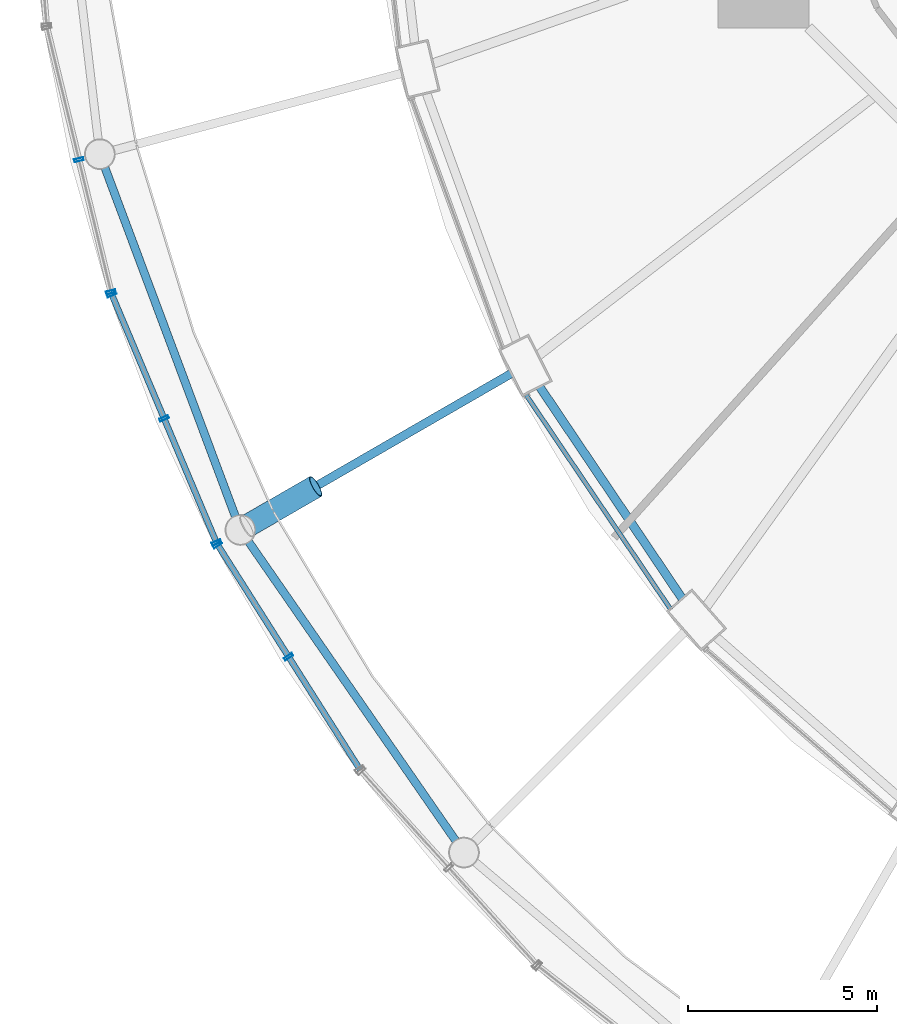
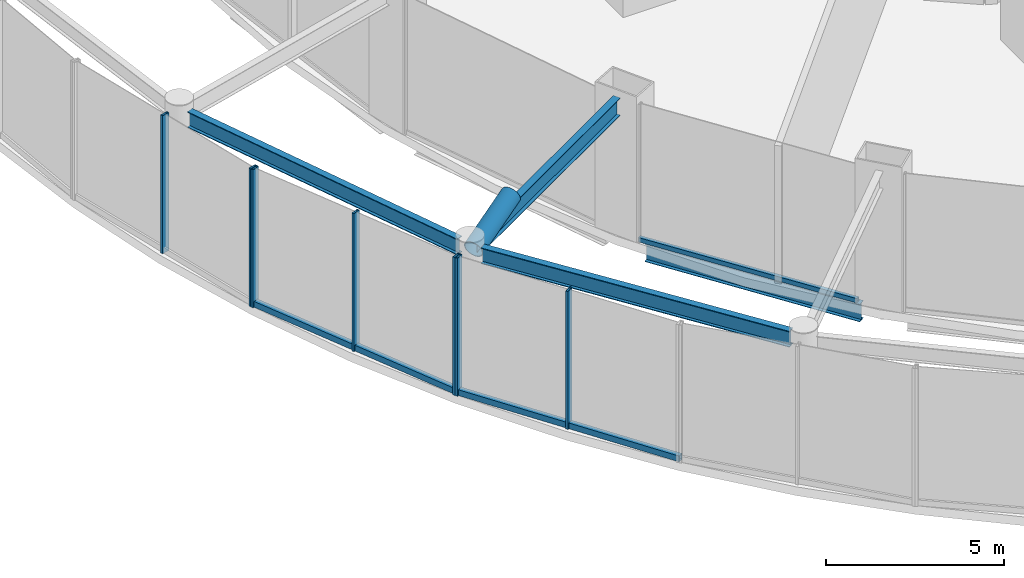
# One storey, part 5 of 52: 11 members, 4 beams, 4 elements without a shape of their own.
"""IFC4 building model written with IfcOpenShell, lengths in metres."""

from ifc_helpers import new_model, si_unit, direction, frame, origin, origin_2d, place, context, subcontext, project, spatial, hollow_rectangle, hollow_circle, i_section, extrude, material, layer, layer_set, material_profile, profile_set, type_object, element, aggregate, save


model = new_model("IFC4")

# Units and contexts
model_context = context("Model", 3, precision=1e-05, world=origin(), true_north=direction((0.0, 1.0)))
body_context = subcontext(model_context, "Body", "Model", "MODEL_VIEW")
ifc_project = project(units=[si_unit("LENGTHUNIT", "METRE"), si_unit("AREAUNIT", "SQUARE_METRE"), si_unit("VOLUMEUNIT", "CUBIC_METRE"), si_unit("PLANEANGLEUNIT", "RADIAN"), si_unit("MASSUNIT", "GRAM", prefix="KILO")], contexts=[model_context])

# Site, building, storey
site_placement = place(None, origin())
site = spatial("IfcSite", under=ifc_project, at=site_placement, CompositionType="ELEMENT")
building_placement = place(site_placement, origin())
building = spatial("IfcBuilding", under=site, at=building_placement, Name="Nagisa Residences", CompositionType="ELEMENT")
storey_placement = place(building_placement, frame((0.0, 0.0, 22.0)))
storey = spatial("IfcBuildingStorey", under=building, at=storey_placement, Name="L04", CompositionType="ELEMENT", Elevation=22.0)

# Beams
ifc_material_1 = material(Name="Steel ASTM A572 Gr 50", Category="steel")
ifc_material_profile_1 = material_profile(ifc_material_1, i_section(OverallWidth=0.214111328125, OverallDepth=0.549072265625, WebThickness=0.0146484375, FlangeThickness=0.023681640625, at=origin_2d()), Name="W530x138")
ifc_profile_set_1 = profile_set([ifc_material_profile_1], Name="Steel ASTM A572 Gr 50")
beam_type_1 = type_object("IfcBeamType", Name="Atrium ring beam W530x138", PredefinedType="BEAM", material=ifc_profile_set_1)
beam_1_placement = place(storey_placement, frame((-32.197021484375, -11.025390625, 4.4755859375), z_axis=(0.350304540877, -0.936635857012, 0.0), x_axis=(0.936635857012, 0.350304540877, 0.0)))
element("IfcBeam", 1, at=beam_1_placement, inside=storey, type_object=beam_type_1, Name="beam:L04:rab14", PredefinedType="BEAM", context=body_context, shape_type="SweptSolid", body=[
    extrude(i_section(OverallWidth=0.214111328125, OverallDepth=0.549072265625, WebThickness=0.0146484375, FlangeThickness=0.023681640625, at=origin_2d()), origin(), (0.0, 0.0, 1.0), 9.8359375),
])
beam_2_placement = place(storey_placement, frame((-28.39599609375, -20.917724609375, 4.4755859375), z_axis=(0.569488756983, -0.821999121453, 0.0), x_axis=(0.821999121453, 0.569488756983, 0.0)))
element("IfcBeam", 2, at=beam_2_placement, inside=storey, type_object=beam_type_1, Name="beam:L04:rab15", PredefinedType="BEAM", context=body_context, shape_type="SweptSolid", body=[
    extrude(i_section(OverallWidth=0.214111328125, OverallDepth=0.549072265625, WebThickness=0.0146484375, FlangeThickness=0.023681640625, at=origin_2d()), origin(), (0.0, 0.0, 1.0), 9.607666015625),
])
ifc_material_2 = material(Name="Steel ASTM A572 Gr 50", Category="steel")
ifc_material_profile_2 = material_profile(ifc_material_2, i_section(OverallWidth=0.22802734375, OverallDepth=0.60302734375, WebThickness=0.010498046875, FlangeThickness=0.014892578125, at=origin_2d()), Name="W610x101")
ifc_profile_set_2 = profile_set([ifc_material_profile_2], Name="Steel ASTM A572 Gr 50")
beam_type_2 = type_object("IfcBeamType", Name="Atrium roof beam W610x101", PredefinedType="BEAM", material=ifc_profile_set_2)
beam_3_placement = place(storey_placement, frame((-21.45458984375, -16.46533203125, 4.448486328125), z_axis=(-0.866031379214, -0.49998965011, 0.0), x_axis=(0.49998965011, -0.866031379214, 0.0)))
element("IfcBeam", 3, at=beam_3_placement, inside=storey, type_object=beam_type_2, Name="beam:L04:rer15", PredefinedType="BEAM", context=body_context, shape_type="SweptSolid", body=[
    extrude(i_section(OverallWidth=0.22802734375, OverallDepth=0.60302734375, WebThickness=0.010498046875, FlangeThickness=0.014892578125, at=origin_2d()), origin(), (0.0, 0.0, 1.0), 7.883056640625),
])

# Curtain wall, members
ifc_material_3 = material(Name="Stainless steel curtain wall system", Category="steel")
ifc_layer_1 = layer(ifc_material_3, 0.159912109375)
ifc_layer_set_1 = layer_set([ifc_layer_1], Name="CW3 CURTAIN WALL")
curtain_wall_type_1 = type_object("IfcCurtainWallType", Name="CW3 CURTAIN WALL", PredefinedType="NOTDEFINED", material=ifc_layer_set_1)
curtain_wall_1_placement = place(storey_placement, origin())
curtain_wall_1 = element("IfcCurtainWall", 4, at=curtain_wall_1_placement, inside=storey, type_object=curtain_wall_type_1, Name="cw:CW3:L04:19", PredefinedType="NOTDEFINED")
ifc_material_4 = material(Name="Stainless steel", Category="steel")
ifc_material_profile_3 = material_profile(ifc_material_4, hollow_rectangle(XDim=0.25, YDim=0.080078125, WallThickness=0.008056640625, at=origin_2d()), Name="CW3 MULLION 250x80")
ifc_profile_set_3 = profile_set([ifc_material_profile_3], Name="Stainless steel")
member_type_1 = type_object("IfcMemberType", Name="CW3 MULLION 250x80", PredefinedType="MULLION", material=ifc_profile_set_3)
member_1_placement = place(storey_placement, frame((-32.8876953125, -10.810302734375, 0.0), z_axis=(0.0, 0.0, 1.0), x_axis=(0.971848775146, 0.235605514043, 0.0)))
member_1 = element("IfcMember", 5, at=member_1_placement, type_object=member_type_1, Name="CW3 mullion", PredefinedType="MULLION", context=body_context, shape_type="SweptSolid", body=[
    extrude(hollow_rectangle(XDim=0.25, YDim=0.080078125, WallThickness=0.008056640625, at=origin_2d()), origin(), (0.0, 0.0, 1.0), 4.739990234375),
])
member_2_placement = place(storey_placement, frame((-32.0400390625, -14.30712890625, 0.0), z_axis=(0.0, 0.0, 1.0), x_axis=(0.971848775146, 0.235605514043, 0.0)))
member_2 = element("IfcMember", 6, at=member_2_placement, type_object=member_type_1, Name="CW3 mullion", PredefinedType="MULLION", context=body_context, shape_type="SweptSolid", body=[
    extrude(hollow_rectangle(XDim=0.25, YDim=0.080078125, WallThickness=0.008056640625, at=origin_2d()), origin(), (0.0, 0.0, 1.0), 4.739990234375),
])
aggregate(curtain_wall_1, [member_1, member_2])

curtain_wall_2_placement = place(storey_placement, origin())
curtain_wall_2 = element("IfcCurtainWall", 7, at=curtain_wall_2_placement, inside=storey, type_object=curtain_wall_type_1, Name="cw:CW3:L04:20", PredefinedType="NOTDEFINED")
member_3_placement = place(storey_placement, frame((-32.01904296875, -14.37060546875, 0.0), z_axis=(0.0, 0.0, 1.0), x_axis=(0.921356767819, 0.388718029417, 0.0)))
member_3 = element("IfcMember", 8, at=member_3_placement, type_object=member_type_1, Name="CW3 mullion", PredefinedType="MULLION", context=body_context, shape_type="SweptSolid", body=[
    extrude(hollow_rectangle(XDim=0.25, YDim=0.080078125, WallThickness=0.008056640625, at=origin_2d()), origin(), (0.0, 0.0, 1.0), 4.739990234375),
])
member_4_placement = place(storey_placement, frame((-30.635009765625, -17.6513671875, 0.0), z_axis=(0.0, 0.0, 1.0), x_axis=(0.921356767819, 0.388718029417, 0.0)))
member_4 = element("IfcMember", 9, at=member_4_placement, type_object=member_type_1, Name="CW3 mullion", PredefinedType="MULLION", context=body_context, shape_type="SweptSolid", body=[
    extrude(hollow_rectangle(XDim=0.25, YDim=0.080078125, WallThickness=0.008056640625, at=origin_2d()), origin(), (0.0, 0.0, 1.0), 4.739990234375),
])
member_5_placement = place(storey_placement, frame((-29.250732421875, -20.93212890625, 0.0), z_axis=(0.0, 0.0, 1.0), x_axis=(0.921356767819, 0.388718029417, 0.0)))
member_5 = element("IfcMember", 10, at=member_5_placement, type_object=member_type_1, Name="CW3 mullion", PredefinedType="MULLION", context=body_context, shape_type="SweptSolid", body=[
    extrude(hollow_rectangle(XDim=0.25, YDim=0.080078125, WallThickness=0.008056640625, at=origin_2d()), origin(), (0.0, 0.0, 1.0), 4.739990234375),
])

curtain_wall_3_placement = place(storey_placement, origin())
curtain_wall_3 = element("IfcCurtainWall", 11, at=curtain_wall_3_placement, inside=storey, type_object=curtain_wall_type_1, Name="cw:CW3:L04:21", PredefinedType="NOTDEFINED")
member_6_placement = place(storey_placement, frame((-29.219970703125, -20.990966796875, 0.0), z_axis=(0.0, 0.0, 1.0), x_axis=(0.844747368001, 0.535165286856, 0.0)))
member_6 = element("IfcMember", 12, at=member_6_placement, type_object=member_type_1, Name="CW3 mullion", PredefinedType="MULLION", context=body_context, shape_type="SweptSolid", body=[
    extrude(hollow_rectangle(XDim=0.25, YDim=0.080078125, WallThickness=0.008056640625, at=origin_2d()), origin(), (0.0, 0.0, 1.0), 4.739990234375),
])
member_7_placement = place(storey_placement, frame((-27.341796875, -23.955810546875, 0.0), z_axis=(0.0, 0.0, 1.0), x_axis=(0.844747368001, 0.535165286856, 0.0)))
member_7 = element("IfcMember", 13, at=member_7_placement, type_object=member_type_1, Name="CW3 mullion", PredefinedType="MULLION", context=body_context, shape_type="SweptSolid", body=[
    extrude(hollow_rectangle(XDim=0.25, YDim=0.080078125, WallThickness=0.008056640625, at=origin_2d()), origin(), (0.0, 0.0, 1.0), 4.739990234375),
])

# Member
ifc_material_5 = material(Name="Stainless steel", Category="steel")
ifc_material_profile_4 = material_profile(ifc_material_5, hollow_rectangle(XDim=0.159912109375, YDim=0.199951171875, WallThickness=0.008056640625, at=origin_2d()), Name="CW3 TRANSOM 160x200")
ifc_profile_set_4 = profile_set([ifc_material_profile_4], Name="Stainless steel")
member_type_2 = type_object("IfcMemberType", Name="CW3 TRANSOM 160x200", PredefinedType="USERDEFINED", material=ifc_profile_set_4)
member_8_placement = place(storey_placement, frame((-32.03466796875, -14.333740234375, 0.10009765625), z_axis=(0.388708599467, -0.921360746234, 0.0), x_axis=(0.921360746234, 0.388708599467, 0.0)))
member_8 = element("IfcMember", 14, at=member_8_placement, type_object=member_type_2, Name="CW3 transom", ObjectType="TRANSOM", PredefinedType="USERDEFINED", context=body_context, shape_type="SweptSolid", body=[
    extrude(hollow_rectangle(XDim=0.159912109375, YDim=0.199951171875, WallThickness=0.008056640625, at=origin_2d()), origin(), (0.0, 0.0, 1.0), 7.20166015625),
])

aggregate(curtain_wall_2, [member_3, member_4, member_5, member_8])

member_9_placement = place(storey_placement, frame((-29.241455078125, -20.957275390625, 0.10009765625), z_axis=(0.535169889444, -0.844744452147, 0.0), x_axis=(0.844744452147, 0.535169889444, 0.0)))
member_9 = element("IfcMember", 15, at=member_9_placement, type_object=member_type_2, Name="CW3 transom", ObjectType="TRANSOM", PredefinedType="USERDEFINED", context=body_context, shape_type="SweptSolid", body=[
    extrude(hollow_rectangle(XDim=0.159912109375, YDim=0.199951171875, WallThickness=0.008056640625, at=origin_2d()), origin(), (0.0, 0.0, 1.0), 7.099365234375),
])

aggregate(curtain_wall_3, [member_6, member_7, member_9])

# Curtain wall, member
ifc_material_6 = material(Name="Stainless steel curtain wall system", Category="steel")
ifc_layer_2 = layer(ifc_material_6, 0.159912109375)
ifc_layer_set_2 = layer_set([ifc_layer_2], Name="CW6 CURTAIN WALL")
curtain_wall_type_2 = type_object("IfcCurtainWallType", Name="CW6 CURTAIN WALL", PredefinedType="NOTDEFINED", material=ifc_layer_set_2)
curtain_wall_4_placement = place(storey_placement, origin())
curtain_wall_4 = element("IfcCurtainWall", 16, at=curtain_wall_4_placement, inside=storey, type_object=curtain_wall_type_2, Name="cw:CW6:L04:28", PredefinedType="NOTDEFINED")
ifc_material_7 = material(Name="Stainless steel", Category="steel")
ifc_material_profile_5 = material_profile(ifc_material_7, hollow_rectangle(XDim=0.1201171875, YDim=0.14990234375, WallThickness=0.008056640625, at=origin_2d()), Name="CW6 TRANSOM 120x150")
ifc_profile_set_5 = profile_set([ifc_material_profile_5], Name="Stainless steel")
member_type_3 = type_object("IfcMemberType", Name="CW6 TRANSOM 120x150", PredefinedType="USERDEFINED", material=ifc_profile_set_5)
member_10_placement = place(storey_placement, frame((-21.05712890625, -17.03564453125, 0.074951171875), z_axis=(0.559080645991, -0.829113280124, 0.0), x_axis=(0.829113280124, 0.559080645991, 0.0)))
member_10 = element("IfcMember", 17, at=member_10_placement, type_object=member_type_3, Name="CW6 transom", ObjectType="TRANSOM", PredefinedType="USERDEFINED", context=body_context, shape_type="SweptSolid", body=[
    extrude(hollow_rectangle(XDim=0.1201171875, YDim=0.14990234375, WallThickness=0.008056640625, at=origin_2d()), origin(), (0.0, 0.0, 1.0), 6.84326171875),
])
aggregate(curtain_wall_4, [member_10])

# Member
ifc_material_8 = material(Name="Steel ASTM A572 Gr 65", Category="steel")
ifc_material_profile_6 = material_profile(ifc_material_8, hollow_circle(Radius=0.304931640625, WallThickness=0.02490234375, at=origin_2d()), Name="CHS 610x25")
ifc_profile_set_6 = profile_set([ifc_material_profile_6], Name="Steel ASTM A572 Gr 65")
member_type_4 = type_object("IfcMemberType", Name="Cage strut CHS 610x25", PredefinedType="STRUT", material=ifc_profile_set_6)
member_11_placement = place(storey_placement, frame((-26.624267578125, -19.449951171875, 5.0), z_axis=(-0.832677989233, -0.480782391152, -0.27476473319), x_axis=(0.500027713859, -0.866009402589, 0.0)))
element("IfcMember", 18, at=member_11_placement, inside=storey, type_object=member_type_4, Name="mem:L04:cg1tie08", PredefinedType="STRUT", context=body_context, shape_type="SweptSolid", body=[
    extrude(hollow_circle(Radius=0.304931640625, WallThickness=0.02490234375, at=origin_2d()), origin(), (0.0, 0.0, 1.0), 2.18408203125),
])

# Beam
ifc_material_9 = material(Name="Steel ASTM A572 Gr 50", Category="steel")
ifc_material_profile_7 = material_profile(ifc_material_9, i_section(OverallWidth=0.22802734375, OverallDepth=0.60302734375, WebThickness=0.010498046875, FlangeThickness=0.014892578125, at=origin_2d()), Name="W610x101")
ifc_profile_set_7 = profile_set([ifc_material_profile_7], Name="Steel ASTM A572 Gr 50")
beam_type_3 = type_object("IfcBeamType", Name="Perimeter ring beam W610x101", PredefinedType="BEAM", material=ifc_profile_set_7)
beam_4_placement = place(storey_placement, frame((-20.69921875, -16.818603515625, -0.6015625), z_axis=(0.558296806041, -0.829641293792, 0.0), x_axis=(0.829641293792, 0.558296806041, 0.0)))
element("IfcBeam", 19, at=beam_4_placement, inside=storey, type_object=beam_type_3, Name="beam:L04:pb15", PredefinedType="BEAM", context=body_context, shape_type="SweptSolid", body=[
    extrude(i_section(OverallWidth=0.22802734375, OverallDepth=0.60302734375, WebThickness=0.010498046875, FlangeThickness=0.014892578125, at=origin_2d()), origin(), (0.0, 0.0, 1.0), 6.74169921875),
])

save(model, "model.ifc")
